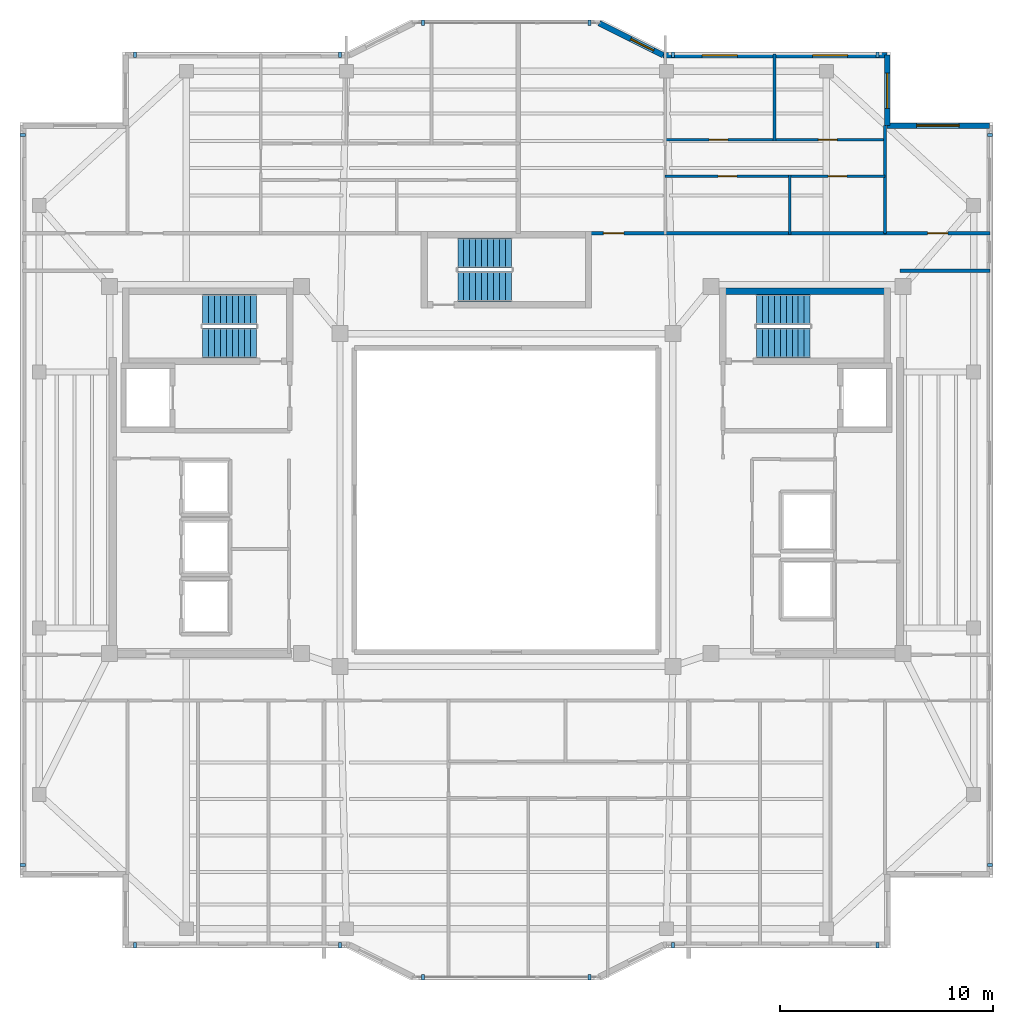
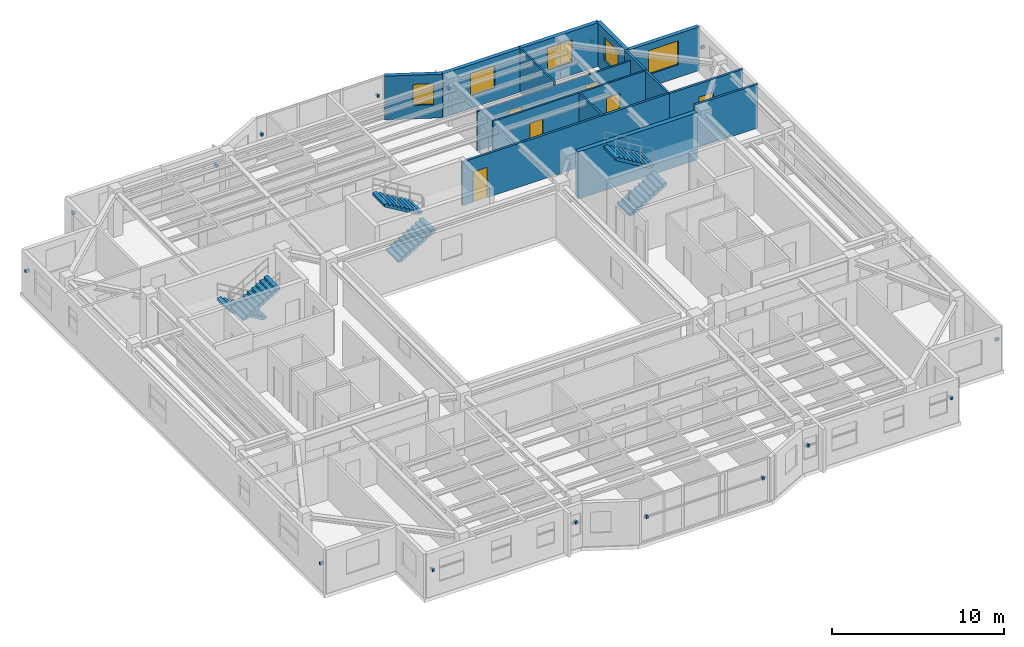
# One storey, part 10 of 13: 16 discrete accessories, 14 walls, 6 doors, 6 stair flights, 5 windows, 11 openings, 3 elements without a shape of their own.
"""IFC4 building model written with IfcOpenShell, lengths in metres."""

from ifc_helpers import new_model, si_unit, direction, frame, frame_2d, origin, origin_2d, place, context, subcontext, project, spatial, polyline, rectangle, outline, extrude, material, layer, layer_set, type_object, element, fill, aggregate, save


model = new_model("IFC4")

# Units and contexts
model_context = context("Model", 3, precision=1e-05, world=origin(), true_north=direction((0.0, 1.0)))
body_context = subcontext(model_context, "Body", "Model", "MODEL_VIEW")
ifc_project = project(units=[si_unit("LENGTHUNIT", "METRE"), si_unit("AREAUNIT", "SQUARE_METRE"), si_unit("VOLUMEUNIT", "CUBIC_METRE"), si_unit("PLANEANGLEUNIT", "RADIAN"), si_unit("MASSUNIT", "GRAM", prefix="KILO")], contexts=[model_context])

# Site, building, storey
site_placement = place(None, origin())
site = spatial("IfcSite", under=ifc_project, at=site_placement, CompositionType="ELEMENT")
building_placement = place(site_placement, origin())
building = spatial("IfcBuilding", under=site, at=building_placement, Name="Tarnavaz Court Tower", CompositionType="ELEMENT")
storey_placement = place(building_placement, frame((0.0, 0.0, 248.199951171875)))
storey = spatial("IfcBuildingStorey", under=building, at=storey_placement, Name="L67", CompositionType="ELEMENT", Elevation=248.199951171875)

# Wall
ifc_material_1 = material(Name="Concrete C50/60", Category="concrete")
ifc_layer_1 = layer(ifc_material_1, 0.300048828125)
ifc_layer_set_1 = layer_set([ifc_layer_1], Name="Concrete C50/60")
wall_type_1 = type_object("IfcWallType", Name="WL-CORE-300-C50", PredefinedType="SHEAR", material=ifc_layer_set_1)
wall_1_placement = place(storey_placement, frame((10.0, 9.7900390625, 0.0), z_axis=(0.0, 0.0, 1.0), x_axis=(1.0, 0.0, 0.0)))
element("IfcWall", 1, at=wall_1_placement, inside=storey, type_object=wall_type_1, Name="L67 East Stair Core Wall 005", PredefinedType="SHEAR", context=body_context, shape_type="SweptSolid", body=[
    extrude(rectangle(XDim=8.0, YDim=0.300048828125, at=frame_2d((4.0, 0.0))), origin(), (0.0, 0.0, 1.0), 3.35009765625),
])

# Wall, opening, window
ifc_material_2 = material(Name="Precast Concrete C40/50", Category="concrete")
ifc_layer_2 = layer(ifc_material_2, 0.260009765625)
ifc_layer_set_2 = layer_set([ifc_layer_2], Name="Precast Concrete C40/50")
wall_type_2 = type_object("IfcWallType", Name="WL-EXT-260", PredefinedType="SOLIDWALL", material=ifc_layer_set_2)
wall_2_placement = place(storey_placement, frame((4.35009765625, 22.35009765625, 0.0), z_axis=(0.0, 0.0, 1.0), x_axis=(0.894427191, -0.4472135955, 0.0)))
wall_2 = element("IfcWall", 2, at=wall_2_placement, inside=storey, type_object=wall_type_2, Name="L67 Exterior Terracotta Facade Wall 08", PredefinedType="SOLIDWALL", context=body_context, shape_type="SweptSolid", body=[
    extrude(rectangle(XDim=3.35400390625, YDim=0.260009765625, at=frame_2d((1.677001953125, 0.0))), origin(), (0.0, 0.0, 1.0), 3.10009765625),
])
opening_1_placement = place(wall_2_placement, frame((1.65283203125, 0.0, 0.949951171875)))
opening_1 = element("IfcOpeningElement", 3, at=opening_1_placement, cuts=wall_2, Name="Opening W05", PredefinedType="OPENING", context=body_context, shape_type="SweptSolid", body=[
    extrude(rectangle(XDim=1.199951171875, YDim=1.5, at=frame_2d((0.60009765625, 0.75))), frame((0.0, 0.139892578125, 0.0), z_axis=(0.0, -1.0, 0.0), x_axis=(1.0, 0.0, 0.0)), (0.0, 0.0, 1.0), 0.280029296875),
])
ifc_material_3 = material(Name="Double-Glazed Solar Low-E Glass", Category="glass")
window_type_1 = type_object("IfcWindowType", Name="WN-APT-1200", PartitioningType="SINGLE_PANEL", PredefinedType="WINDOW", material=ifc_material_3)
window_1_placement = place(opening_1_placement, origin())
window_1 = element("IfcWindow", 4, at=window_1_placement, inside=storey, type_object=window_type_1, Name="L67 Flat 02 Living and Dining Room Window", OverallHeight=1.5, OverallWidth=1.199951171875, PartitioningType="SINGLE_PANEL", PredefinedType="WINDOW", context=body_context, shape_type="SweptSolid", body=[
    extrude(rectangle(XDim=1.199951171875, YDim=1.5, at=frame_2d((0.60009765625, 0.75))), frame((0.0, 0.030029296875, 0.0), z_axis=(0.0, -1.0, 0.0), x_axis=(1.0, 0.0, 0.0)), (0.0, 0.0, 1.0), 0.06005859375),
])
fill(opening_1, window_1)

# Wall, openings, windows
wall_3_placement = place(storey_placement, frame((7.35009765625, 20.85009765625, 0.0), z_axis=(0.0, 0.0, 1.0), x_axis=(1.0, 0.0, 0.0)))
wall_3 = element("IfcWall", 5, at=wall_3_placement, inside=storey, type_object=wall_type_2, Name="L67 Exterior Terracotta Facade Wall 09", PredefinedType="SOLIDWALL", context=body_context, shape_type="SweptSolid", body=[
    extrude(rectangle(XDim=10.5, YDim=0.260009765625, at=frame_2d((5.25, 0.0))), origin(), (0.0, 0.0, 1.0), 3.10009765625),
])
opening_2_placement = place(wall_3_placement, frame((1.824951171875, 0.0, 0.89990234375)))
opening_2 = element("IfcOpeningElement", 6, at=opening_2_placement, cuts=wall_3, Name="Opening W02", PredefinedType="OPENING", context=body_context, shape_type="SweptSolid", body=[
    extrude(rectangle(XDim=1.64990234375, YDim=1.60009765625, at=frame_2d((0.824951171875, 0.800048828125))), frame((0.0, 0.139892578125, 0.0), z_axis=(0.0, -1.0, 0.0), x_axis=(1.0, 0.0, 0.0)), (0.0, 0.0, 1.0), 0.280029296875),
])
opening_3_placement = place(wall_3_placement, frame((7.0, 0.0, 0.89990234375)))
opening_3 = element("IfcOpeningElement", 7, at=opening_3_placement, cuts=wall_3, Name="Opening W02", PredefinedType="OPENING", context=body_context, shape_type="SweptSolid", body=[
    extrude(rectangle(XDim=1.64990234375, YDim=1.60009765625, at=frame_2d((0.824951171875, 0.800048828125))), frame((0.0, 0.139892578125, 0.0), z_axis=(0.0, -1.0, 0.0), x_axis=(1.0, 0.0, 0.0)), (0.0, 0.0, 1.0), 0.280029296875),
])
window_type_2 = type_object("IfcWindowType", Name="WN-APT-1650", PartitioningType="DOUBLE_PANEL_VERTICAL", PredefinedType="WINDOW", material=ifc_material_3)
window_2_placement = place(opening_2_placement, origin())
window_2 = element("IfcWindow", 8, at=window_2_placement, inside=storey, type_object=window_type_2, Name="L67 Flat 02 Principal Bedroom Window", OverallHeight=1.60009765625, OverallWidth=1.64990234375, PartitioningType="SINGLE_PANEL", PredefinedType="WINDOW", context=body_context, shape_type="SweptSolid", body=[
    extrude(rectangle(XDim=1.64990234375, YDim=1.60009765625, at=frame_2d((0.824951171875, 0.800048828125))), frame((0.0, 0.030029296875, 0.0), z_axis=(0.0, -1.0, 0.0), x_axis=(1.0, 0.0, 0.0)), (0.0, 0.0, 1.0), 0.06005859375),
])
fill(opening_2, window_2)
window_3_placement = place(opening_3_placement, origin())
window_3 = element("IfcWindow", 9, at=window_3_placement, inside=storey, type_object=window_type_2, Name="L67 Flat 02 Bedroom 2 Window", OverallHeight=1.60009765625, OverallWidth=1.64990234375, PartitioningType="SINGLE_PANEL", PredefinedType="WINDOW", context=body_context, shape_type="SweptSolid", body=[
    extrude(rectangle(XDim=1.64990234375, YDim=1.60009765625, at=frame_2d((0.824951171875, 0.800048828125))), frame((0.0, 0.030029296875, 0.0), z_axis=(0.0, -1.0, 0.0), x_axis=(1.0, 0.0, 0.0)), (0.0, 0.0, 1.0), 0.06005859375),
])
fill(opening_3, window_3)

# Wall, opening, window
wall_4_placement = place(storey_placement, frame((17.85009765625, 20.85009765625, 0.0), z_axis=(0.0, 0.0, 1.0), x_axis=(0.0, -1.0, 0.0)))
wall_4 = element("IfcWall", 10, at=wall_4_placement, inside=storey, type_object=wall_type_2, Name="L67 Exterior Terracotta Facade Wall 10", PredefinedType="SOLIDWALL", context=body_context, shape_type="SweptSolid", body=[
    extrude(rectangle(XDim=3.300048828125, YDim=0.260009765625, at=frame_2d((1.64990234375, 0.0))), origin(), (0.0, 0.0, 1.0), 3.10009765625),
])
opening_4_placement = place(wall_4_placement, frame((0.842529296875, 0.0, 0.89990234375)))
opening_4 = element("IfcOpeningElement", 11, at=opening_4_placement, cuts=wall_4, Name="Opening W02", PredefinedType="OPENING", context=body_context, shape_type="SweptSolid", body=[
    extrude(rectangle(XDim=1.64990234375, YDim=1.60009765625, at=frame_2d((0.824951171875, 0.800048828125))), frame((0.0, 0.139892578125, 0.0), z_axis=(0.0, -1.0, 0.0), x_axis=(1.0, 0.0, 0.0)), (0.0, 0.0, 1.0), 0.280029296875),
])
window_4_placement = place(opening_4_placement, origin())
window_4 = element("IfcWindow", 12, at=window_4_placement, inside=storey, type_object=window_type_2, Name="L67 Flat 02 Bedroom 2 Window", OverallHeight=1.60009765625, OverallWidth=1.64990234375, PartitioningType="SINGLE_PANEL", PredefinedType="WINDOW", context=body_context, shape_type="SweptSolid", body=[
    extrude(rectangle(XDim=1.64990234375, YDim=1.60009765625, at=frame_2d((0.824951171875, 0.800048828125))), frame((0.0, 0.030029296875, 0.0), z_axis=(0.0, -1.0, 0.0), x_axis=(1.0, 0.0, 0.0)), (0.0, 0.0, 1.0), 0.06005859375),
])
fill(opening_4, window_4)

wall_5_placement = place(storey_placement, frame((17.85009765625, 17.550048828125, 0.0), z_axis=(0.0, 0.0, 1.0), x_axis=(1.0, 0.0, 0.0)))
wall_5 = element("IfcWall", 13, at=wall_5_placement, inside=storey, type_object=wall_type_2, Name="L67 Exterior Terracotta Facade Wall 11", PredefinedType="SOLIDWALL", context=body_context, shape_type="SweptSolid", body=[
    extrude(rectangle(XDim=4.7998046875, YDim=0.260009765625, at=frame_2d((2.39990234375, 0.0))), origin(), (0.0, 0.0, 1.0), 3.10009765625),
])
opening_5_placement = place(wall_5_placement, frame((1.374755859375, 0.0, 0.89990234375)))
opening_5 = element("IfcOpeningElement", 14, at=opening_5_placement, cuts=wall_5, Name="Opening W08", PredefinedType="OPENING", context=body_context, shape_type="SweptSolid", body=[
    extrude(rectangle(XDim=2.0, YDim=1.699951171875, at=frame_2d((1.0, 0.85009765625))), frame((0.0, 0.139892578125, 0.0), z_axis=(0.0, -1.0, 0.0), x_axis=(1.0, 0.0, 0.0)), (0.0, 0.0, 1.0), 0.280029296875),
])
window_type_3 = type_object("IfcWindowType", Name="WN-APT-2000", PartitioningType="DOUBLE_PANEL_VERTICAL", PredefinedType="WINDOW", material=ifc_material_3)
window_5_placement = place(opening_5_placement, origin())
window_5 = element("IfcWindow", 15, at=window_5_placement, inside=storey, type_object=window_type_3, Name="L67 North-East Corner Sunroom Study Window", OverallHeight=1.699951171875, OverallWidth=2.0, PartitioningType="SINGLE_PANEL", PredefinedType="WINDOW", context=body_context, shape_type="SweptSolid", body=[
    extrude(rectangle(XDim=2.0, YDim=1.699951171875, at=frame_2d((1.0, 0.85009765625))), frame((0.0, 0.030029296875, 0.0), z_axis=(0.0, -1.0, 0.0), x_axis=(1.0, 0.0, 0.0)), (0.0, 0.0, 1.0), 0.06005859375),
])
fill(opening_5, window_5)

# Wall, opening, door
ifc_material_4 = material(Name="Gypsum Fire-Board on Acoustic Metal Stud", Category="masonry")
ifc_layer_3 = layer(ifc_material_4, 0.14990234375)
ifc_layer_set_3 = layer_set([ifc_layer_3], Name="Gypsum Fire-Board on Acoustic Metal Stud")
wall_type_3 = type_object("IfcWallType", Name="WL-FIRE-150", PredefinedType="PARTITIONING", material=ifc_layer_set_3)
wall_6_placement = place(storey_placement, frame((3.85009765625, 12.5, 0.0), z_axis=(0.0, 0.0, 1.0), x_axis=(1.0, 0.0, 0.0)))
wall_6 = element("IfcWall", 16, at=wall_6_placement, inside=storey, type_object=wall_type_3, Name="L67 NE Wing Corridor Wall 061", PredefinedType="PARTITIONING", context=body_context, shape_type="SweptSolid", body=[
    extrude(rectangle(XDim=13.89990234375, YDim=0.14990234375, at=frame_2d((6.949951171875, 0.0))), origin(), (0.0, 0.0, 1.0), 3.10009765625),
])
opening_6_placement = place(wall_6_placement, frame((0.699951171875, 0.0, 0.0)))
opening_6 = element("IfcOpeningElement", 17, at=opening_6_placement, cuts=wall_6, Name="Opening D06", PredefinedType="OPENING", context=body_context, shape_type="SweptSolid", body=[
    extrude(rectangle(XDim=0.9599609375, YDim=2.14990234375, at=frame_2d((0.47998046875, 1.074951171875))), frame((0.0, 0.0849609375, 0.0), z_axis=(0.0, -1.0, 0.0), x_axis=(1.0, 0.0, 0.0)), (0.0, 0.0, 1.0), 0.169921875),
])
ifc_material_5 = material(Name="Fire-Rated Hardwood Timber Core", Category="wood")
door_type_1 = type_object("IfcDoorType", Name="DR-FD60-950", OperationType="NOTDEFINED", PredefinedType="DOOR", material=ifc_material_5)
door_1_placement = place(opening_6_placement, origin())
door_1 = element("IfcDoor", 18, at=door_1_placement, inside=storey, type_object=door_type_1, Name="L67 Flat 02 Entrance Door", OperationType="SINGLE_SWING_LEFT", OverallHeight=2.14990234375, OverallWidth=0.9599609375, PredefinedType="DOOR", context=body_context, shape_type="SweptSolid", body=[
    extrude(rectangle(XDim=0.9599609375, YDim=2.14990234375, at=frame_2d((0.47998046875, 1.074951171875))), frame((0.0, 0.02490234375, 0.0), z_axis=(0.0, -1.0, 0.0), x_axis=(1.0, 0.0, 0.0)), (0.0, 0.0, 1.0), 0.050048828125),
])
fill(opening_6, door_1)

# Wall
wall_7_placement = place(storey_placement, frame((18.449951171875, 10.75, 0.0), z_axis=(0.0, 0.0, 1.0), x_axis=(1.0, 0.0, 0.0)))
element("IfcWall", 19, at=wall_7_placement, inside=storey, type_object=wall_type_3, Name="L67 Interior Partition 095", PredefinedType="PARTITIONING", context=body_context, shape_type="SweptSolid", body=[
    extrude(rectangle(XDim=4.22998046875, YDim=0.14990234375, at=frame_2d((2.114990234375, 0.0))), origin(), (0.0, 0.0, 1.0), 3.10009765625),
])

# Wall, opening, door
wall_8_placement = place(storey_placement, frame((17.75, 12.5, 0.0), z_axis=(0.0, 0.0, 1.0), x_axis=(1.0, 0.0, 0.0)))
wall_8 = element("IfcWall", 20, at=wall_8_placement, inside=storey, type_object=wall_type_3, Name="L67 Interior Partition 101", PredefinedType="PARTITIONING", context=body_context, shape_type="SweptSolid", body=[
    extrude(rectangle(XDim=4.929931640625, YDim=0.14990234375, at=frame_2d((2.46484375, 0.0))), origin(), (0.0, 0.0, 1.0), 3.10009765625),
])
opening_7_placement = place(wall_8_placement, frame((1.989990234375, 0.0, 0.0)))
opening_7 = element("IfcOpeningElement", 21, at=opening_7_placement, cuts=wall_8, Name="Opening D13", PredefinedType="OPENING", context=body_context, shape_type="SweptSolid", body=[
    extrude(rectangle(XDim=0.949951171875, YDim=2.14990234375, at=frame_2d((0.47509765625, 1.074951171875))), frame((0.0, 0.0849609375, 0.0), z_axis=(0.0, -1.0, 0.0), x_axis=(1.0, 0.0, 0.0)), (0.0, 0.0, 1.0), 0.169921875),
])
ifc_material_6 = material(Name="Engineered Oak Timber", Category="wood")
door_type_2 = type_object("IfcDoorType", Name="DR-INT-950", OperationType="NOTDEFINED", PredefinedType="DOOR", material=ifc_material_6)
door_2_placement = place(opening_7_placement, origin())
door_2 = element("IfcDoor", 22, at=door_2_placement, inside=storey, type_object=door_type_2, Name="L67 NE Sunroom Door", OperationType="SINGLE_SWING_LEFT", OverallHeight=2.14990234375, OverallWidth=0.949951171875, PredefinedType="DOOR", context=body_context, shape_type="SweptSolid", body=[
    extrude(rectangle(XDim=0.949951171875, YDim=2.14990234375, at=frame_2d((0.47509765625, 1.074951171875))), frame((0.0, 0.02490234375, 0.0), z_axis=(0.0, -1.0, 0.0), x_axis=(1.0, 0.0, 0.0)), (0.0, 0.0, 1.0), 0.050048828125),
])
fill(opening_7, door_2)

ifc_material_7 = material(Name="Moisture-Resistant Gypsum Board Partition", Category="masonry")
ifc_layer_4 = layer(ifc_material_7, 0.1201171875)
ifc_layer_set_4 = layer_set([ifc_layer_4], Name="Moisture-Resistant Gypsum Board Partition")
wall_type_4 = type_object("IfcWallType", Name="WL-PART-120", PredefinedType="PARTITIONING", material=ifc_layer_set_4)
wall_9_placement = place(storey_placement, frame((7.44189453125, 15.169921875, 0.0), z_axis=(0.0, 0.0, 1.0), x_axis=(1.0, 0.0, 0.0)))
wall_9 = element("IfcWall", 23, at=wall_9_placement, inside=storey, type_object=wall_type_4, Name="L67 Interior Partition 073", PredefinedType="PARTITIONING", context=body_context, shape_type="SweptSolid", body=[
    extrude(rectangle(XDim=5.841064453125, YDim=0.1201171875, at=frame_2d((2.92041015625, 0.0))), origin(), (0.0, 0.0, 1.0), 3.10009765625),
])
opening_8_placement = place(wall_9_placement, frame((2.47998046875, 0.0, 0.0)))
opening_8 = element("IfcOpeningElement", 24, at=opening_8_placement, cuts=wall_9, Name="Opening D14", PredefinedType="OPENING", context=body_context, shape_type="SweptSolid", body=[
    extrude(rectangle(XDim=0.8798828125, YDim=2.10009765625, at=frame_2d((0.43994140625, 1.050048828125))), frame((0.0, 0.070068359375, 0.0), z_axis=(0.0, -1.0, 0.0), x_axis=(1.0, 0.0, 0.0)), (0.0, 0.0, 1.0), 0.14013671875),
])
door_type_3 = type_object("IfcDoorType", Name="DR-INT-900", OperationType="NOTDEFINED", PredefinedType="DOOR", material=ifc_material_6)
door_3_placement = place(opening_8_placement, origin())
door_3 = element("IfcDoor", 25, at=door_3_placement, inside=storey, type_object=door_type_3, Name="L67 Flat 02 Kitchen Door", OperationType="SINGLE_SWING_LEFT", OverallHeight=2.10009765625, OverallWidth=0.8798828125, PredefinedType="DOOR", context=body_context, shape_type="SweptSolid", body=[
    extrude(rectangle(XDim=0.8798828125, YDim=2.10009765625, at=frame_2d((0.43994140625, 1.050048828125))), frame((0.0, 0.02490234375, 0.0), z_axis=(0.0, -1.0, 0.0), x_axis=(1.0, 0.0, 0.0)), (0.0, 0.0, 1.0), 0.050048828125),
])
fill(opening_8, door_3)

wall_10_placement = place(storey_placement, frame((13.282958984375, 15.169921875, 0.0), z_axis=(0.0, 0.0, 1.0), x_axis=(1.0, 0.0, 0.0)))
wall_10 = element("IfcWall", 26, at=wall_10_placement, inside=storey, type_object=wall_type_4, Name="L67 Interior Partition 074", PredefinedType="PARTITIONING", context=body_context, shape_type="SweptSolid", body=[
    extrude(rectangle(XDim=4.467041015625, YDim=0.1201171875, at=frame_2d((2.2333984375, 0.0))), origin(), (0.0, 0.0, 1.0), 3.10009765625),
])
opening_9_placement = place(wall_10_placement, frame((1.7939453125, 0.0, 0.0)))
opening_9 = element("IfcOpeningElement", 27, at=opening_9_placement, cuts=wall_10, Name="Opening D14", PredefinedType="OPENING", context=body_context, shape_type="SweptSolid", body=[
    extrude(rectangle(XDim=0.8798828125, YDim=2.10009765625, at=frame_2d((0.43994140625, 1.050048828125))), frame((0.0, 0.070068359375, 0.0), z_axis=(0.0, -1.0, 0.0), x_axis=(1.0, 0.0, 0.0)), (0.0, 0.0, 1.0), 0.14013671875),
])
door_4_placement = place(opening_9_placement, origin())
door_4 = element("IfcDoor", 28, at=door_4_placement, inside=storey, type_object=door_type_3, Name="L67 Flat 02 Bathroom Door", OperationType="SINGLE_SWING_RIGHT", OverallHeight=2.10009765625, OverallWidth=0.8798828125, PredefinedType="DOOR", context=body_context, shape_type="SweptSolid", body=[
    extrude(rectangle(XDim=0.8798828125, YDim=2.10009765625, at=frame_2d((0.43994140625, 1.050048828125))), frame((0.0, 0.02490234375, 0.0), z_axis=(0.0, -1.0, 0.0), x_axis=(1.0, 0.0, 0.0)), (0.0, 0.0, 1.0), 0.050048828125),
])
fill(opening_9, door_4)

# Wall, openings, doors
wall_11_placement = place(storey_placement, frame((7.382080078125, 16.8798828125, 0.0), z_axis=(0.0, 0.0, 1.0), x_axis=(1.0, 0.0, 0.0)))
wall_11 = element("IfcWall", 29, at=wall_11_placement, inside=storey, type_object=wall_type_4, Name="L67 Interior Partition 075", PredefinedType="PARTITIONING", context=body_context, shape_type="SweptSolid", body=[
    extrude(rectangle(XDim=10.427978515625, YDim=0.1201171875, at=frame_2d((5.2138671875, 0.0))), origin(), (0.0, 0.0, 1.0), 2.78515625),
])
opening_10_placement = place(wall_11_placement, frame((2.1220703125, 0.0, 0.0)))
opening_10 = element("IfcOpeningElement", 30, at=opening_10_placement, cuts=wall_11, Name="Opening D14", PredefinedType="OPENING", context=body_context, shape_type="SweptSolid", body=[
    extrude(rectangle(XDim=0.8798828125, YDim=2.10009765625, at=frame_2d((0.43994140625, 1.050048828125))), frame((0.0, 0.070068359375, 0.0), z_axis=(0.0, -1.0, 0.0), x_axis=(1.0, 0.0, 0.0)), (0.0, 0.0, 1.0), 0.14013671875),
])
opening_11_placement = place(wall_11_placement, frame((7.24609375, 0.0, 0.0)))
opening_11 = element("IfcOpeningElement", 31, at=opening_11_placement, cuts=wall_11, Name="Opening D14", PredefinedType="OPENING", context=body_context, shape_type="SweptSolid", body=[
    extrude(rectangle(XDim=0.8798828125, YDim=2.10009765625, at=frame_2d((0.43994140625, 1.050048828125))), frame((0.0, 0.070068359375, 0.0), z_axis=(0.0, -1.0, 0.0), x_axis=(1.0, 0.0, 0.0)), (0.0, 0.0, 1.0), 0.14013671875),
])
door_5_placement = place(opening_10_placement, origin())
door_5 = element("IfcDoor", 32, at=door_5_placement, inside=storey, type_object=door_type_3, Name="L67 Flat 02 Bedroom 1 Door", OperationType="SINGLE_SWING_LEFT", OverallHeight=2.10009765625, OverallWidth=0.8798828125, PredefinedType="DOOR", context=body_context, shape_type="SweptSolid", body=[
    extrude(rectangle(XDim=0.8798828125, YDim=2.10009765625, at=frame_2d((0.43994140625, 1.050048828125))), frame((0.0, 0.02490234375, 0.0), z_axis=(0.0, -1.0, 0.0), x_axis=(1.0, 0.0, 0.0)), (0.0, 0.0, 1.0), 0.050048828125),
])
fill(opening_10, door_5)
door_6_placement = place(opening_11_placement, origin())
door_6 = element("IfcDoor", 33, at=door_6_placement, inside=storey, type_object=door_type_3, Name="L67 Flat 02 Bedroom 2 Door", OperationType="SINGLE_SWING_RIGHT", OverallHeight=2.10009765625, OverallWidth=0.8798828125, PredefinedType="DOOR", context=body_context, shape_type="SweptSolid", body=[
    extrude(rectangle(XDim=0.8798828125, YDim=2.10009765625, at=frame_2d((0.43994140625, 1.050048828125))), frame((0.0, 0.02490234375, 0.0), z_axis=(0.0, -1.0, 0.0), x_axis=(1.0, 0.0, 0.0)), (0.0, 0.0, 1.0), 0.050048828125),
])
fill(opening_11, door_6)

# Walls
wall_12_placement = place(storey_placement, frame((13.282958984375, 12.43994140625, 0.0), z_axis=(0.0, 0.0, 1.0), x_axis=(0.0, 1.0, 0.0)))
element("IfcWall", 34, at=wall_12_placement, inside=storey, type_object=wall_type_4, Name="L67 Interior Partition 076", PredefinedType="PARTITIONING", context=body_context, shape_type="SweptSolid", body=[
    extrude(rectangle(XDim=2.7900390625, YDim=0.1201171875, at=frame_2d((1.39501953125, 0.0))), origin(), (0.0, 0.0, 1.0), 3.10009765625),
])
wall_13_placement = place(storey_placement, frame((12.56591796875, 16.820068359375, 0.0), z_axis=(0.0, 0.0, 1.0), x_axis=(0.0, 1.0, 0.0)))
element("IfcWall", 35, at=wall_13_placement, inside=storey, type_object=wall_type_4, Name="L67 Interior Partition 077", PredefinedType="PARTITIONING", context=body_context, shape_type="SweptSolid", body=[
    extrude(rectangle(XDim=4.079833984375, YDim=0.1201171875, at=frame_2d((2.0400390625, 0.0))), origin(), (0.0, 0.0, 1.0), 3.10009765625),
])
ifc_material_8 = material(Name="Gypsum Plasterboard Acoustic Partition", Category="masonry")
ifc_layer_5 = layer(ifc_material_8, 0.139892578125)
ifc_layer_set_5 = layer_set([ifc_layer_5], Name="Gypsum Plasterboard Acoustic Partition")
wall_type_5 = type_object("IfcWallType", Name="WL-PART-150", PredefinedType="PARTITIONING", material=ifc_layer_set_5)
wall_14_placement = place(storey_placement, frame((17.75, 12.5, 0.0), z_axis=(0.0, 0.0, 1.0), x_axis=(0.0, 1.0, 0.0)))
element("IfcWall", 36, at=wall_14_placement, inside=storey, type_object=wall_type_5, Name="L67 Interior Partition 099", PredefinedType="PARTITIONING", context=body_context, shape_type="SweptSolid", body=[
    extrude(rectangle(XDim=5.050048828125, YDim=0.139892578125, at=frame_2d((2.52490234375, 0.0))), origin(), (0.0, 0.0, 1.0), 3.10009765625),
])

# Stair, stair flights
ifc_material_9 = material(Name="Concrete C40/50", Category="concrete")
stair_type = type_object("IfcStairType", Name="ST-TWR-20R", PredefinedType="HALF_TURN_STAIR", material=ifc_material_9)
stair_1_placement = place(storey_placement, origin())
stair_1 = element("IfcStair", 37, at=stair_1_placement, inside=storey, type_object=stair_type, Name="L67 West Core Pressurized Exit Stair ST-W1", PredefinedType="HALF_TURN_STAIR")
stair_flight_type = type_object("IfcStairFlightType", Name="SFL-RC-20R", PredefinedType="STRAIGHT", material=ifc_material_9)
stair_flight_1_placement = place(storey_placement, frame((-11.719970703125, 8.929931640625, 0.0), z_axis=(0.0, 0.0, 1.0), x_axis=(-1.0, 0.0, 0.0)))
stair_flight_1 = element("IfcStairFlight", 38, at=stair_flight_1_placement, type_object=stair_flight_type, Name="ST-W1 flight 1", NumberOfRisers=10, NumberOfTreads=9, PredefinedType="STRAIGHT", RiserHeight=0.1675, TreadLength=0.28, context=body_context, shape_type="SweptSolid", body=[
    extrude(outline(polyline([(0.0, 0.0), (0.0, 0.16748046875), (0.280029296875, 0.16748046875), (0.280029296875, 0.3349609375), (0.56005859375, 0.3349609375), (0.56005859375, 0.50244140625), (0.840087890625, 0.50244140625), (0.840087890625, 0.669921875), (1.1201171875, 0.669921875), (1.1201171875, 0.83740234375), (1.39990234375, 0.83740234375), (1.39990234375, 1.0048828125), (1.679931640625, 1.0048828125), (1.679931640625, 1.172607421875), (1.9599609375, 1.172607421875), (1.9599609375, 1.340087890625), (2.239990234375, 1.340087890625), (2.239990234375, 1.507568359375), (2.52001953125, 1.507568359375), (2.52001953125, 1.675048828125), (2.52001953125, 1.332763671875), (0.2919921875, 0.0), (0.0, 0.0)])), frame((0.0, 0.7099609375, 0.0), z_axis=(0.0, -1.0, 0.0), x_axis=(1.0, 0.0, 0.0)), (0.0, 0.0, 1.0), 1.419921875),
])
stair_flight_2_placement = place(storey_placement, frame((-14.239990234375, 7.360107421875, 1.675048828125), z_axis=(0.0, 0.0, 1.0), x_axis=(1.0, 0.0, 0.0)))
stair_flight_2 = element("IfcStairFlight", 39, at=stair_flight_2_placement, type_object=stair_flight_type, Name="ST-W1 flight 2", NumberOfRisers=10, NumberOfTreads=9, PredefinedType="STRAIGHT", RiserHeight=0.1675, TreadLength=0.28, context=body_context, shape_type="SweptSolid", body=[
    extrude(outline(polyline([(0.0, 0.0), (0.0, 0.16748046875), (0.280029296875, 0.16748046875), (0.280029296875, 0.3349609375), (0.56005859375, 0.3349609375), (0.56005859375, 0.50244140625), (0.840087890625, 0.50244140625), (0.840087890625, 0.669921875), (1.1201171875, 0.669921875), (1.1201171875, 0.83740234375), (1.39990234375, 0.83740234375), (1.39990234375, 1.0048828125), (1.679931640625, 1.0048828125), (1.679931640625, 1.172607421875), (1.9599609375, 1.172607421875), (1.9599609375, 1.340087890625), (2.239990234375, 1.340087890625), (2.239990234375, 1.507568359375), (2.52001953125, 1.507568359375), (2.52001953125, 1.675048828125), (2.52001953125, 1.332763671875), (0.2919921875, 0.0), (0.0, 0.0)])), frame((0.0, 0.7099609375, 0.0), z_axis=(0.0, -1.0, 0.0), x_axis=(1.0, 0.0, 0.0)), (0.0, 0.0, 1.0), 1.419921875),
])
aggregate(stair_1, [stair_flight_1, stair_flight_2])

stair_2_placement = place(storey_placement, origin())
stair_2 = element("IfcStair", 40, at=stair_2_placement, inside=storey, type_object=stair_type, Name="L67 East Core Pressurized Exit Stair ST-E1", PredefinedType="HALF_TURN_STAIR")
stair_flight_3_placement = place(storey_placement, frame((11.719970703125, 7.360107421875, 0.0), z_axis=(0.0, 0.0, 1.0), x_axis=(1.0, 0.0, 0.0)))
stair_flight_3 = element("IfcStairFlight", 41, at=stair_flight_3_placement, type_object=stair_flight_type, Name="ST-E1 flight 1", NumberOfRisers=10, NumberOfTreads=9, PredefinedType="STRAIGHT", RiserHeight=0.1675, TreadLength=0.28, context=body_context, shape_type="SweptSolid", body=[
    extrude(outline(polyline([(0.0, 0.0), (0.0, 0.16748046875), (0.280029296875, 0.16748046875), (0.280029296875, 0.3349609375), (0.56005859375, 0.3349609375), (0.56005859375, 0.50244140625), (0.840087890625, 0.50244140625), (0.840087890625, 0.669921875), (1.1201171875, 0.669921875), (1.1201171875, 0.83740234375), (1.39990234375, 0.83740234375), (1.39990234375, 1.0048828125), (1.679931640625, 1.0048828125), (1.679931640625, 1.172607421875), (1.9599609375, 1.172607421875), (1.9599609375, 1.340087890625), (2.239990234375, 1.340087890625), (2.239990234375, 1.507568359375), (2.52001953125, 1.507568359375), (2.52001953125, 1.675048828125), (2.52001953125, 1.332763671875), (0.2919921875, 0.0), (0.0, 0.0)])), frame((0.0, 0.7099609375, 0.0), z_axis=(0.0, -1.0, 0.0), x_axis=(1.0, 0.0, 0.0)), (0.0, 0.0, 1.0), 1.419921875),
])
stair_flight_4_placement = place(storey_placement, frame((14.239990234375, 8.929931640625, 1.675048828125), z_axis=(0.0, 0.0, 1.0), x_axis=(-1.0, 0.0, 0.0)))
stair_flight_4 = element("IfcStairFlight", 42, at=stair_flight_4_placement, type_object=stair_flight_type, Name="ST-E1 flight 2", NumberOfRisers=10, NumberOfTreads=9, PredefinedType="STRAIGHT", RiserHeight=0.1675, TreadLength=0.28, context=body_context, shape_type="SweptSolid", body=[
    extrude(outline(polyline([(0.0, 0.0), (0.0, 0.16748046875), (0.280029296875, 0.16748046875), (0.280029296875, 0.3349609375), (0.56005859375, 0.3349609375), (0.56005859375, 0.50244140625), (0.840087890625, 0.50244140625), (0.840087890625, 0.669921875), (1.1201171875, 0.669921875), (1.1201171875, 0.83740234375), (1.39990234375, 0.83740234375), (1.39990234375, 1.0048828125), (1.679931640625, 1.0048828125), (1.679931640625, 1.172607421875), (1.9599609375, 1.172607421875), (1.9599609375, 1.340087890625), (2.239990234375, 1.340087890625), (2.239990234375, 1.507568359375), (2.52001953125, 1.507568359375), (2.52001953125, 1.675048828125), (2.52001953125, 1.332763671875), (0.2919921875, 0.0), (0.0, 0.0)])), frame((0.0, 0.7099609375, 0.0), z_axis=(0.0, -1.0, 0.0), x_axis=(1.0, 0.0, 0.0)), (0.0, 0.0, 1.0), 1.419921875),
])
aggregate(stair_2, [stair_flight_3, stair_flight_4])

stair_3_placement = place(storey_placement, origin())
stair_3 = element("IfcStair", 43, at=stair_3_placement, inside=storey, type_object=stair_type, Name="L67 North Ring Pressurized Exit Stair ST-N1", PredefinedType="HALF_TURN_STAIR")
stair_flight_5_placement = place(storey_placement, frame((-2.280029296875, 10.010009765625, 0.0), z_axis=(0.0, 0.0, 1.0), x_axis=(1.0, 0.0, 0.0)))
stair_flight_5 = element("IfcStairFlight", 44, at=stair_flight_5_placement, type_object=stair_flight_type, Name="ST-N1 flight 1", NumberOfRisers=10, NumberOfTreads=9, PredefinedType="STRAIGHT", RiserHeight=0.1675, TreadLength=0.28, context=body_context, shape_type="SweptSolid", body=[
    extrude(outline(polyline([(0.0, 0.0), (0.0, 0.16748046875), (0.280029296875, 0.16748046875), (0.280029296875, 0.3349609375), (0.56005859375, 0.3349609375), (0.56005859375, 0.50244140625), (0.840087890625, 0.50244140625), (0.840087890625, 0.669921875), (1.1201171875, 0.669921875), (1.1201171875, 0.83740234375), (1.39990234375, 0.83740234375), (1.39990234375, 1.0048828125), (1.679931640625, 1.0048828125), (1.679931640625, 1.172607421875), (1.9599609375, 1.172607421875), (1.9599609375, 1.340087890625), (2.239990234375, 1.340087890625), (2.239990234375, 1.507568359375), (2.52001953125, 1.507568359375), (2.52001953125, 1.675048828125), (2.52001953125, 1.332763671875), (0.2919921875, 0.0), (0.0, 0.0)])), frame((0.0, 0.7099609375, 0.0), z_axis=(0.0, -1.0, 0.0), x_axis=(1.0, 0.0, 0.0)), (0.0, 0.0, 1.0), 1.419921875),
])
stair_flight_6_placement = place(storey_placement, frame((0.239990234375, 11.580078125, 1.675048828125), z_axis=(0.0, 0.0, 1.0), x_axis=(-1.0, 0.0, 0.0)))
stair_flight_6 = element("IfcStairFlight", 45, at=stair_flight_6_placement, type_object=stair_flight_type, Name="ST-N1 flight 2", NumberOfRisers=10, NumberOfTreads=9, PredefinedType="STRAIGHT", RiserHeight=0.1675, TreadLength=0.28, context=body_context, shape_type="SweptSolid", body=[
    extrude(outline(polyline([(0.0, 0.0), (0.0, 0.16748046875), (0.280029296875, 0.16748046875), (0.280029296875, 0.3349609375), (0.56005859375, 0.3349609375), (0.56005859375, 0.50244140625), (0.840087890625, 0.50244140625), (0.840087890625, 0.669921875), (1.1201171875, 0.669921875), (1.1201171875, 0.83740234375), (1.39990234375, 0.83740234375), (1.39990234375, 1.0048828125), (1.679931640625, 1.0048828125), (1.679931640625, 1.172607421875), (1.9599609375, 1.172607421875), (1.9599609375, 1.340087890625), (2.239990234375, 1.340087890625), (2.239990234375, 1.507568359375), (2.52001953125, 1.507568359375), (2.52001953125, 1.675048828125), (2.52001953125, 1.332763671875), (0.2919921875, 0.0), (0.0, 0.0)])), frame((0.0, 0.7099609375, 0.0), z_axis=(0.0, -1.0, 0.0), x_axis=(1.0, 0.0, 0.0)), (0.0, 0.0, 1.0), 1.419921875),
])
aggregate(stair_3, [stair_flight_5, stair_flight_6])

# Discrete accessories
ifc_material_10 = material(Name="Anodised Aluminium 6063-T6", Category="aluminium")
discrete_accessory_type = type_object("IfcDiscreteAccessoryType", Name="DA-BRKT-ALU", PredefinedType="BRACKET", material=ifc_material_10)
for number, where, z_axis, x_axis, name in (
    (46, (-22.669921875, -17.10009765625, 1.75), (0.0, 0.0, 1.0), (0.0, 1.0, 0.0), "L67 Baguette Outrigger Bracket FBG02-1"),
    (47, (-22.669921875, 17.10009765625, 1.75), (0.0, 0.0, 1.0), (0.0, 1.0, 0.0), "L67 Baguette Outrigger Bracket FBG02-2"),
    (48, (-17.39990234375, 20.8701171875, 1.75), (0.0, 0.0, 1.0), (1.0, 0.0, 0.0), "L67 Baguette Outrigger Bracket FBG05-1"),
    (49, (-7.800048828125, 20.8701171875, 1.75), (0.0, 0.0, 1.0), (1.0, 0.0, 0.0), "L67 Baguette Outrigger Bracket FBG05-2"),
    (50, (-3.89990234375, 22.3701171875, 1.7001953125), (0.0, 0.0, 1.0), (1.0, 0.0, 0.0), "L67 Baguette Outrigger Bracket PBG7-1"),
    (51, (3.89990234375, 22.3701171875, 1.7001953125), (0.0, 0.0, 1.0), (1.0, 0.0, 0.0), "L67 Baguette Outrigger Bracket PBG7-2"),
    (52, (7.800048828125, 20.8701171875, 1.75), (0.0, 0.0, 1.0), (1.0, 0.0, 0.0), "L67 Baguette Outrigger Bracket FBG09-1"),
    (53, (17.39990234375, 20.8701171875, 1.75), (0.0, 0.0, 1.0), (1.0, 0.0, 0.0), "L67 Baguette Outrigger Bracket FBG09-2"),
    (54, (22.669921875, 17.10009765625, 1.75), (0.0, 0.0, 1.0), (0.0, -1.0, 0.0), "L67 Baguette Outrigger Bracket FBG12-1"),
    (55, (22.669921875, -17.10009765625, 1.75), (0.0, 0.0, 1.0), (0.0, -1.0, 0.0), "L67 Baguette Outrigger Bracket FBG12-2"),
    (56, (17.39990234375, -20.8701171875, 1.75), (0.0, 0.0, 1.0), (-1.0, 0.0, 0.0), "L67 Baguette Outrigger Bracket FBG15-1"),
    (57, (7.800048828125, -20.8701171875, 1.75), (0.0, 0.0, 1.0), (-1.0, 0.0, 0.0), "L67 Baguette Outrigger Bracket FBG15-2"),
    (58, (3.89990234375, -22.3701171875, 1.7001953125), (0.0, 0.0, 1.0), (-1.0, 0.0, 0.0), "L67 Baguette Outrigger Bracket PBG17-1"),
    (59, (-3.89990234375, -22.3701171875, 1.7001953125), (0.0, 0.0, 1.0), (-1.0, 0.0, 0.0), "L67 Baguette Outrigger Bracket PBG17-2"),
    (60, (-7.800048828125, -20.8701171875, 1.75), (0.0, 0.0, 1.0), (-1.0, 0.0, 0.0), "L67 Baguette Outrigger Bracket FBG19-1"),
    (61, (-17.39990234375, -20.8701171875, 1.75), (0.0, 0.0, 1.0), (-1.0, 0.0, 0.0), "L67 Baguette Outrigger Bracket FBG19-2"),
):
    element("IfcDiscreteAccessory", number, at=place(storey_placement, frame(where, z_axis=z_axis, x_axis=x_axis)), inside=storey, type_object=discrete_accessory_type, Name=name, PredefinedType="BRACKET", context=body_context, shape_type="SweptSolid", body=[
        extrude(rectangle(XDim=0.139892578125, YDim=0.239990234375, at=origin_2d()), origin(), (0.0, 0.0, 1.0), 0.199951171875),
    ])

save(model, "model.ifc")
